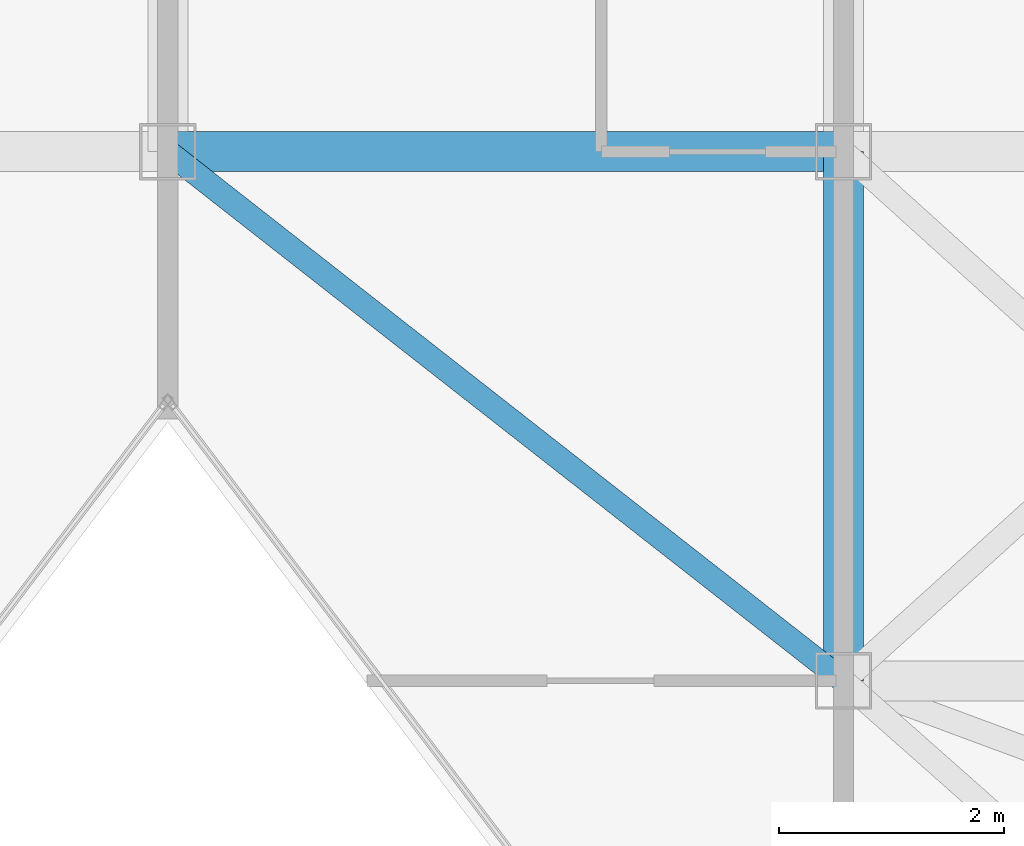
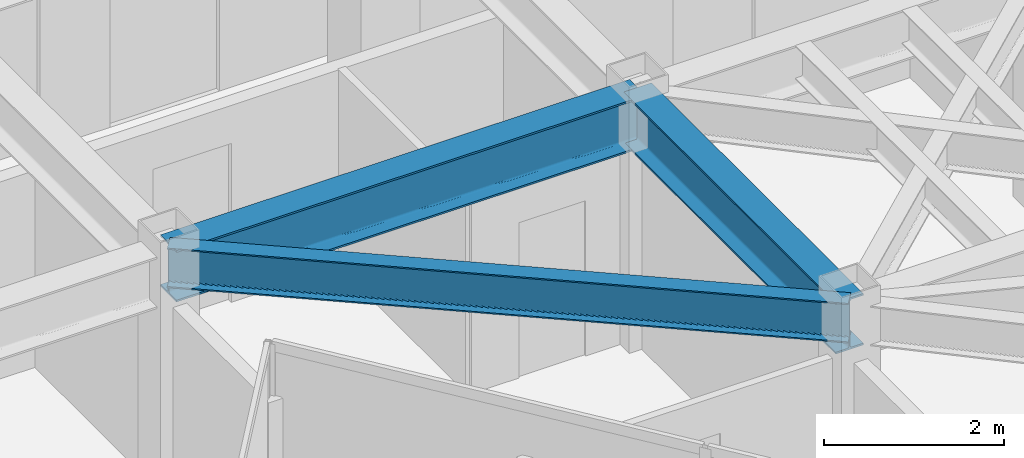
# One storey, part 9 of 20: 3 beams.
"""IFC4 building model written with IfcOpenShell, lengths in metres."""

from ifc_helpers import new_model, si_unit, direction, frame, origin, origin_2d, place, context, subcontext, project, spatial, i_section, extrude, material, material_profile, profile_set, type_object, element, save


model = new_model("IFC4")

# Units and contexts
model_context = context("Model", 3, precision=1e-05, world=origin(), true_north=direction((0.0, 1.0)))
body_context = subcontext(model_context, "Body", "Model", "MODEL_VIEW")
ifc_project = project(units=[si_unit("LENGTHUNIT", "METRE"), si_unit("AREAUNIT", "SQUARE_METRE"), si_unit("VOLUMEUNIT", "CUBIC_METRE"), si_unit("PLANEANGLEUNIT", "RADIAN"), si_unit("MASSUNIT", "GRAM", prefix="KILO")], contexts=[model_context])

# Site, building, storey
site_placement = place(None, origin())
site = spatial("IfcSite", under=ifc_project, at=site_placement, CompositionType="ELEMENT")
building_placement = place(site_placement, origin())
building = spatial("IfcBuilding", under=site, at=building_placement, Name="Kravanh Interchange Tower", CompositionType="ELEMENT")
storey_placement = place(building_placement, frame((0.0, 0.0, 238.199951171875)))
storey = spatial("IfcBuildingStorey", under=building, at=storey_placement, Name="L57", CompositionType="ELEMENT", Elevation=238.199951171875)

# Beams
ifc_material_1 = material(Name="Structural Steel S355", Category="steel")
ifc_material_profile_1 = material_profile(ifc_material_1, i_section(OverallWidth=0.35498046875, OverallDepth=0.696044921875, WebThickness=0.015380859375, FlangeThickness=0.02490234375, FilletRadius=0.02392578125, at=origin_2d()), Name="W27X146")
ifc_profile_set_1 = profile_set([ifc_material_profile_1], Name="Structural Steel S355")
beam_type_1 = type_object("IfcBeamType", Name="Floor Beam W27X146 Structural Steel S355", PredefinedType="BEAM", material=ifc_profile_set_1)
beam_1_placement = place(storey_placement, frame((44.800048828125, 31.5, 3.011962890625), z_axis=(1.0, 0.0, 0.0), x_axis=(0.0, 1.0, 0.0)))
element("IfcBeam", 1, at=beam_1_placement, inside=storey, type_object=beam_type_1, Name="L57 Primary Floor Girder 2", PredefinedType="BEAM", context=body_context, shape_type="SweptSolid", body=[
    extrude(i_section(OverallWidth=0.35498046875, OverallDepth=0.696044921875, WebThickness=0.015380859375, FlangeThickness=0.02490234375, FilletRadius=0.02392578125, at=origin_2d()), origin(), (0.0, 0.0, 1.0), 6.0),
])
beam_2_placement = place(storey_placement, frame((50.800048828125, 31.5, 3.011962890625), z_axis=(0.0, -1.0, 0.0), x_axis=(1.0, 0.0, 0.0)))
element("IfcBeam", 2, at=beam_2_placement, inside=storey, type_object=beam_type_1, Name="L57 Primary Floor Girder 5", PredefinedType="BEAM", context=body_context, shape_type="SweptSolid", body=[
    extrude(i_section(OverallWidth=0.35498046875, OverallDepth=0.696044921875, WebThickness=0.015380859375, FlangeThickness=0.02490234375, FilletRadius=0.02392578125, at=origin_2d()), origin(), (0.0, 0.0, 1.0), 4.699951171875),
])
ifc_material_2 = material(Name="Structural Steel S355", Category="steel")
ifc_material_profile_2 = material_profile(ifc_material_2, i_section(OverallWidth=0.2099609375, OverallDepth=0.537109375, WebThickness=0.010986328125, FlangeThickness=0.017333984375, FilletRadius=0.02001953125, at=origin_2d()), Name="W21X68")
ifc_profile_set_2 = profile_set([ifc_material_profile_2], Name="Structural Steel S355")
beam_type_2 = type_object("IfcBeamType", Name="Floor Spandrel W21X68 Structural Steel S355", PredefinedType="SPANDREL", material=ifc_profile_set_2)
beam_3_placement = place(storey_placement, frame((44.800048828125, 31.5, 3.091552734375), z_axis=(0.787231163579, -0.616658004967, 0.0), x_axis=(0.616658004967, 0.787231163579, 0.0)))
element("IfcBeam", 3, at=beam_3_placement, inside=storey, type_object=beam_type_2, Name="L57 Perimeter Spandrel 4", PredefinedType="SPANDREL", context=body_context, shape_type="SweptSolid", body=[
    extrude(i_section(OverallWidth=0.2099609375, OverallDepth=0.537109375, WebThickness=0.010986328125, FlangeThickness=0.017333984375, FilletRadius=0.02001953125, at=origin_2d()), origin(), (0.0, 0.0, 1.0), 7.62158203125),
])

save(model, "model.ifc")
